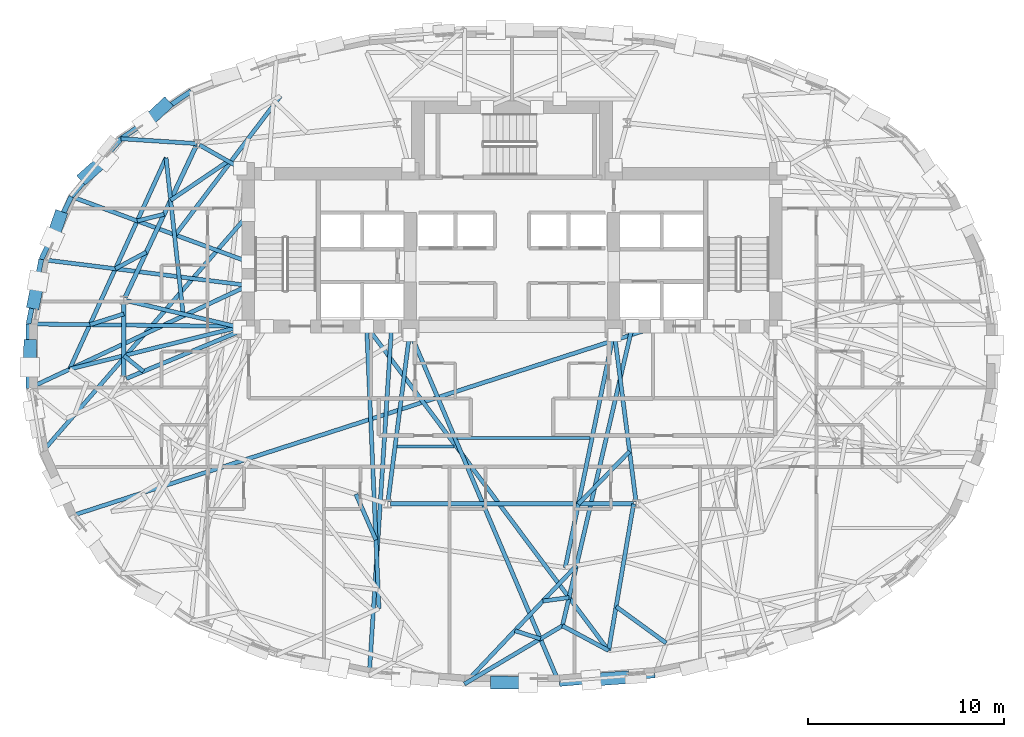
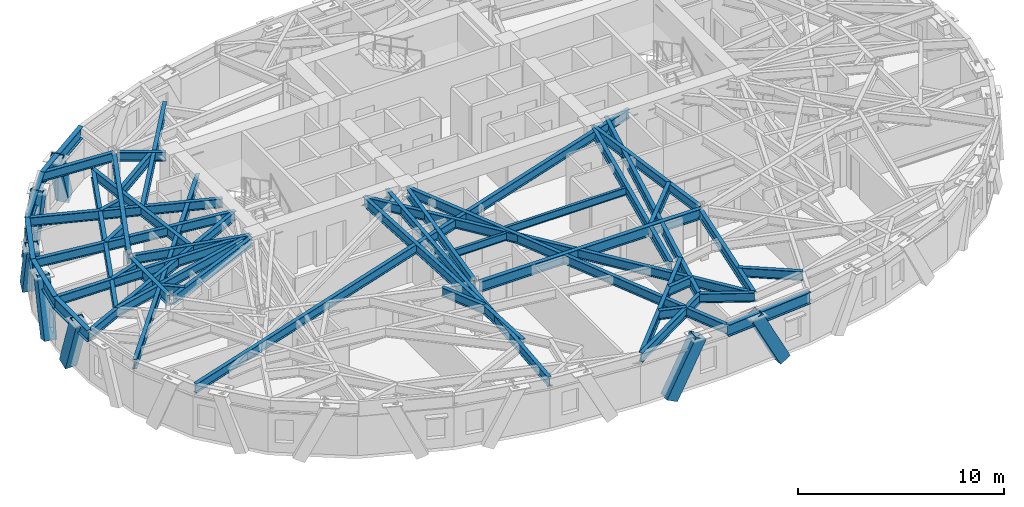
# One storey, part 2 of 15: 47 beams, 7 members.
"""IFC4 building model written with IfcOpenShell, lengths in metres."""

from ifc_helpers import new_model, si_unit, direction, frame, origin, origin_2d, place, context, subcontext, project, spatial, hollow_rectangle, i_section, extrude, material, material_profile, profile_set, type_object, element, save


model = new_model("IFC4")

# Units and contexts
model_context = context("Model", 3, precision=1e-05, world=origin(), true_north=direction((0.0, 1.0)))
body_context = subcontext(model_context, "Body", "Model", "MODEL_VIEW")
ifc_project = project(units=[si_unit("LENGTHUNIT", "METRE"), si_unit("AREAUNIT", "SQUARE_METRE"), si_unit("VOLUMEUNIT", "CUBIC_METRE"), si_unit("PLANEANGLEUNIT", "RADIAN"), si_unit("MASSUNIT", "GRAM", prefix="KILO")], contexts=[model_context])

# Site, building, storey
site_placement = place(None, origin())
site = spatial("IfcSite", under=ifc_project, at=site_placement, CompositionType="ELEMENT")
building_placement = place(site_placement, origin())
building = spatial("IfcBuilding", under=site, at=building_placement, Name="Keldmark Tower", CompositionType="ELEMENT")
storey_placement = place(building_placement, frame((0.0, 0.0, 150.199951171875)))
storey = spatial("IfcBuildingStorey", under=building, at=storey_placement, Name="L40", CompositionType="ELEMENT", Elevation=150.199951171875)

# Beams
ifc_material_1 = material(Name="Steel ASTM A992 Grade 50", Category="steel")
ifc_material_profile_1 = material_profile(ifc_material_1, i_section(OverallWidth=0.153076171875, OverallDepth=0.455078125, WebThickness=0.008056640625, FlangeThickness=0.01318359375, at=origin_2d()), Name="W18X40")
ifc_profile_set_1 = profile_set([ifc_material_profile_1], Name="Steel ASTM A992 Grade 50")
beam_type_1 = type_object("IfcBeamType", Name="Composite Floor Joist W18X40", PredefinedType="JOIST", material=ifc_profile_set_1)
beam_1_placement = place(storey_placement, frame((-5.875244140625, -4.60009765625, 2.79248046875), z_axis=(1.0, 0.0, 0.0), x_axis=(0.0, 1.0, 0.0)))
element("IfcBeam", 1, at=beam_1_placement, inside=storey, type_object=beam_type_1, Name="L40 Composite Floor Joist J03", PredefinedType="JOIST", context=body_context, shape_type="SweptSolid", body=[
    extrude(i_section(OverallWidth=0.153076171875, OverallDepth=0.455078125, WebThickness=0.008056640625, FlangeThickness=0.01318359375, at=origin_2d()), origin(), (0.0, 0.0, 1.0), 2.901123046875),
])
beam_2_placement = place(storey_placement, frame((-2.806640625, -4.179931640625, 2.79248046875), z_axis=(1.0, 0.0, 0.0), x_axis=(0.0, 1.0, 0.0)))
element("IfcBeam", 2, at=beam_2_placement, inside=storey, type_object=beam_type_1, Name="L40 Composite Floor Joist J04", PredefinedType="JOIST", context=body_context, shape_type="SweptSolid", body=[
    extrude(i_section(OverallWidth=0.153076171875, OverallDepth=0.455078125, WebThickness=0.008056640625, FlangeThickness=0.01318359375, at=origin_2d()), origin(), (0.0, 0.0, 1.0), 6.796142578125),
])

# Members
ifc_material_2 = material(Name="Steel ASTM A572 Grade 50", Category="steel")
ifc_material_profile_2 = material_profile(ifc_material_2, hollow_rectangle(XDim=0.64990234375, YDim=0.64990234375, WallThickness=0.0400390625, at=origin_2d()), Name="BOX650X650X40")
ifc_profile_set_2 = profile_set([ifc_material_profile_2], Name="Steel ASTM A572 Grade 50")
member_type = type_object("IfcMemberType", Name="Diagrid Zone 3 Brace BOX650X650X40", PredefinedType="BRACE", material=ifc_profile_set_2)
member_1_placement = place(storey_placement, frame((-17.732421875, 12.81689453125, -0.260009765625), z_axis=(-0.292992043497, -0.273100580771, 0.916281471618), x_axis=(0.681839537201, -0.731501774099, 0.0)))
element("IfcMember", 3, at=member_1_placement, inside=storey, type_object=member_type, Name="L40 Perimeter Diagrid Brace 06B", PredefinedType="BRACE", context=body_context, shape_type="SweptSolid", body=[
    extrude(hollow_rectangle(XDim=0.64990234375, YDim=0.64990234375, WallThickness=0.0400390625, at=origin_2d()), origin(), (0.0, 0.0, 1.0), 3.448974609375),
])
member_2_placement = place(storey_placement, frame((-21.796875, 9.180908203125, -0.260009765625), z_axis=(0.296806190353, 0.263764698546, 0.917787703758), x_axis=(-0.664275165612, 0.747488129906, 0.0)))
element("IfcMember", 4, at=member_2_placement, inside=storey, type_object=member_type, Name="L40 Perimeter Diagrid Brace 07A", PredefinedType="BRACE", context=body_context, shape_type="SweptSolid", body=[
    extrude(hollow_rectangle(XDim=0.64990234375, YDim=0.64990234375, WallThickness=0.0400390625, at=origin_2d()), origin(), (0.0, 0.0, 1.0), 3.443115234375),
])
member_3_placement = place(storey_placement, frame((-23.099853515625, 7.100830078125, -0.260009765625), z_axis=(-0.113870706024, -0.330174373919, 0.937026331069), x_axis=(0.945357561986, -0.326035396844, 0.0)))
element("IfcMember", 5, at=member_3_placement, inside=storey, type_object=member_type, Name="L40 Perimeter Diagrid Brace 07B", PredefinedType="BRACE", context=body_context, shape_type="SweptSolid", body=[
    extrude(hollow_rectangle(XDim=0.64990234375, YDim=0.64990234375, WallThickness=0.0400390625, at=origin_2d()), origin(), (0.0, 0.0, 1.0), 3.37255859375),
])
member_4_placement = place(storey_placement, frame((-24.430908203125, 2.7333984375, -0.260009765625), z_axis=(0.066641570554, 0.326798608827, 0.942741518309), x_axis=(-0.979834607176, 0.199810266451, 0.0)))
element("IfcMember", 6, at=member_4_placement, inside=storey, type_object=member_type, Name="L40 Perimeter Diagrid Brace 08A", PredefinedType="BRACE", context=body_context, shape_type="SweptSolid", body=[
    extrude(hollow_rectangle(XDim=0.64990234375, YDim=0.64990234375, WallThickness=0.0400390625, at=origin_2d()), origin(), (0.0, 0.0, 1.0), 3.35205078125),
])
member_5_placement = place(storey_placement, frame((-24.61669921875, 0.543212890625, -0.260009765625), z_axis=(-0.006640294408, -0.328366206996, 0.944527151856), x_axis=(0.999795593554, -0.02021808867, 0.0)))
element("IfcMember", 7, at=member_5_placement, inside=storey, type_object=member_type, Name="L40 Perimeter Diagrid Brace 08B", PredefinedType="BRACE", context=body_context, shape_type="SweptSolid", body=[
    extrude(hollow_rectangle(XDim=0.64990234375, YDim=0.64990234375, WallThickness=0.0400390625, at=origin_2d()), origin(), (0.0, 0.0, 1.0), 3.345703125),
])
member_6_placement = place(storey_placement, frame((-0.80419921875, -16.666748046875, -0.260009765625), z_axis=(0.456424007227, -0.004330528984, 0.889751859872), x_axis=(0.009487524778, 0.999954992424, 0.0)))
element("IfcMember", 8, at=member_6_placement, inside=storey, type_object=member_type, Name="L40 Perimeter Diagrid Brace 12B", PredefinedType="BRACE", context=body_context, shape_type="SweptSolid", body=[
    extrude(hollow_rectangle(XDim=0.64990234375, YDim=0.64990234375, WallThickness=0.0400390625, at=origin_2d()), origin(), (0.0, 0.0, 1.0), 3.5517578125),
])
member_7_placement = place(storey_placement, frame((5.680419921875, -16.41162109375, -0.260009765625), z_axis=(-0.458757917557, -0.034708658236, 0.88788314666), x_axis=(0.075442282616, -0.997150170232, 0.0)))
element("IfcMember", 9, at=member_7_placement, inside=storey, type_object=member_type, Name="L40 Perimeter Diagrid Brace 13A", PredefinedType="BRACE", context=body_context, shape_type="SweptSolid", body=[
    extrude(hollow_rectangle(XDim=0.64990234375, YDim=0.64990234375, WallThickness=0.0400390625, at=origin_2d()), origin(), (0.0, 0.0, 1.0), 3.55908203125),
])

# Beams
ifc_material_3 = material(Name="Steel ASTM A992 Grade 50", Category="steel")
ifc_material_profile_3 = material_profile(ifc_material_3, i_section(OverallWidth=0.22900390625, OverallDepth=0.612060546875, WebThickness=0.011962890625, FlangeThickness=0.01953125, at=origin_2d()), Name="W24X84")
ifc_profile_set_3 = profile_set([ifc_material_profile_3], Name="Steel ASTM A992 Grade 50")
beam_type_2 = type_object("IfcBeamType", Name="Primary Floor Girder W24X84", PredefinedType="BEAM", material=ifc_profile_set_3)
beam_3_placement = place(storey_placement, frame((-16.140869140625, 10.734130859375, 2.714111328125), z_axis=(-0.424526823774, -0.905415360979, 0.0), x_axis=(0.905415360979, -0.424526823774, 0.0)))
element("IfcBeam", 10, at=beam_3_placement, inside=storey, type_object=beam_type_2, Name="L40 Floor Ring Girder FG-R05", PredefinedType="BEAM", context=body_context, shape_type="SweptSolid", body=[
    extrude(i_section(OverallWidth=0.22900390625, OverallDepth=0.612060546875, WebThickness=0.011962890625, FlangeThickness=0.01953125, at=origin_2d()), origin(), (0.0, 0.0, 1.0), 8.54638671875),
])
beam_4_placement = place(storey_placement, frame((-19.828369140625, 2.729248046875, 2.714111328125), z_axis=(0.0, -1.0, 0.0), x_axis=(1.0, 0.0, 0.0)))
element("IfcBeam", 11, at=beam_4_placement, inside=storey, type_object=beam_type_2, Name="L40 Floor Ring Girder FG-R06", PredefinedType="BEAM", context=body_context, shape_type="SweptSolid", body=[
    extrude(i_section(OverallWidth=0.22900390625, OverallDepth=0.612060546875, WebThickness=0.011962890625, FlangeThickness=0.01953125, at=origin_2d()), origin(), (0.0, 0.0, 1.0), 3.778564453125),
])
beam_5_placement = place(storey_placement, frame((-6.211181640625, -7.546142578125, 2.714111328125), z_axis=(1.0, 0.0, 0.0), x_axis=(0.0, 1.0, 0.0)))
element("IfcBeam", 12, at=beam_5_placement, inside=storey, type_object=beam_type_2, Name="L40 Floor Ring Girder FG-R09", PredefinedType="BEAM", context=body_context, shape_type="SweptSolid", body=[
    extrude(i_section(OverallWidth=0.22900390625, OverallDepth=0.612060546875, WebThickness=0.011962890625, FlangeThickness=0.01953125, at=origin_2d()), origin(), (0.0, 0.0, 1.0), 12.42236328125),
])
ifc_material_4 = material(Name="Steel ASTM A992 Grade 50", Category="steel")
ifc_material_profile_4 = material_profile(ifc_material_4, i_section(OverallWidth=0.2099609375, OverallDepth=0.537109375, WebThickness=0.010986328125, FlangeThickness=0.017333984375, at=origin_2d()), Name="W21X68")
ifc_profile_set_4 = profile_set([ifc_material_profile_4], Name="Steel ASTM A992 Grade 50")
beam_type_3 = type_object("IfcBeamType", Name="Radial Tie Girder W21X68", PredefinedType="BEAM", material=ifc_profile_set_4)
beam_6_placement = place(storey_placement, frame((-15.959716796875, 10.791748046875, 2.75146484375), z_axis=(0.86929527307, -0.494293160197, 0.0), x_axis=(0.494293160197, 0.86929527307, 0.0)))
element("IfcBeam", 13, at=beam_6_placement, inside=storey, type_object=beam_type_3, Name="L40 Floor Radial Girder FG-C05", PredefinedType="BEAM", context=body_context, shape_type="SweptSolid", body=[
    extrude(i_section(OverallWidth=0.2099609375, OverallDepth=0.537109375, WebThickness=0.010986328125, FlangeThickness=0.017333984375, at=origin_2d()), origin(), (0.0, 0.0, 1.0), 2.39453125),
])
beam_7_placement = place(storey_placement, frame((-19.692138671875, 2.837158203125, 2.75146484375), z_axis=(0.973280062348, -0.229621253887, 0.0), x_axis=(0.229621253887, 0.973280062348, 0.0)))
element("IfcBeam", 14, at=beam_7_placement, inside=storey, type_object=beam_type_3, Name="L40 Floor Radial Girder FG-C06", PredefinedType="BEAM", context=body_context, shape_type="SweptSolid", body=[
    extrude(i_section(OverallWidth=0.2099609375, OverallDepth=0.537109375, WebThickness=0.010986328125, FlangeThickness=0.017333984375, at=origin_2d()), origin(), (0.0, 0.0, 1.0), 5.939208984375),
])
beam_8_placement = place(storey_placement, frame((-19.69921875, -1.135498046875, 2.75146484375), z_axis=(0.923393794893, 0.383854008124, 0.0), x_axis=(-0.383854008124, 0.923393794893, 0.0)))
element("IfcBeam", 15, at=beam_8_placement, inside=storey, type_object=beam_type_3, Name="L40 Floor Radial Girder FG-C07", PredefinedType="BEAM", context=body_context, shape_type="SweptSolid", body=[
    extrude(i_section(OverallWidth=0.2099609375, OverallDepth=0.537109375, WebThickness=0.010986328125, FlangeThickness=0.017333984375, at=origin_2d()), origin(), (0.0, 0.0, 1.0), 6.28515625),
])
for number, where, z_axis, x_axis, name in (
    (16, (-6.333251953125, -7.4072265625, 2.75146484375), (0.127635577416, 0.991821132754, 0.0), (-0.991821132754, 0.127635577416, 0.0), "L40 Floor Radial Girder FG-C09"),
    (17, (6.333251953125, -7.4072265625, 2.75146484375), (-0.127635577416, 0.991821132754, 0.0), (-0.991821132754, -0.127635577416, 0.0), "L40 Floor Radial Girder FG-C10"),
):
    element("IfcBeam", number, at=place(storey_placement, frame(where, z_axis=z_axis, x_axis=x_axis)), inside=storey, type_object=beam_type_3, Name=name, PredefinedType="BEAM", context=body_context, shape_type="SweptSolid", body=[
        extrude(i_section(OverallWidth=0.2099609375, OverallDepth=0.537109375, WebThickness=0.010986328125, FlangeThickness=0.017333984375, at=origin_2d()), origin(), (0.0, 0.0, 1.0), 8.559814453125),
    ])
beam_9_placement = place(storey_placement, frame((-14.502685546875, 9.96337890625, 2.75146484375), z_axis=(-0.827254116677, -0.561827933127, 0.0), x_axis=(0.561827933127, -0.827254116677, 0.0)))
element("IfcBeam", 18, at=beam_9_placement, inside=storey, type_object=beam_type_3, Name="L40 Framing Pin Header PH-002", PredefinedType="BEAM", context=body_context, shape_type="SweptSolid", body=[
    extrude(i_section(OverallWidth=0.2099609375, OverallDepth=0.537109375, WebThickness=0.010986328125, FlangeThickness=0.017333984375, at=origin_2d()), origin(), (0.0, 0.0, 1.0), 3.546875),
])
beam_10_placement = place(storey_placement, frame((-16.8017578125, 2.1552734375, 2.75146484375), z_axis=(-0.108542045619, 0.994091859102, 0.0), x_axis=(-0.994091859102, -0.108542045619, 0.0)))
element("IfcBeam", 19, at=beam_10_placement, inside=storey, type_object=beam_type_3, Name="L40 Sub-Ring Step Girder STP1-M06", PredefinedType="BEAM", context=body_context, shape_type="SweptSolid", body=[
    extrude(i_section(OverallWidth=0.2099609375, OverallDepth=0.537109375, WebThickness=0.010986328125, FlangeThickness=0.017333984375, at=origin_2d()), origin(), (0.0, 0.0, 1.0), 8.027587890625),
])
beam_11_placement = place(storey_placement, frame((-18.82861328125, -0.773681640625, 2.75146484375), z_axis=(-0.77891650182, 0.627127645055, 0.0), x_axis=(-0.627127645055, -0.77891650182, 0.0)))
element("IfcBeam", 20, at=beam_11_placement, inside=storey, type_object=beam_type_3, Name="L40 Framing Pin Header PH-003", PredefinedType="BEAM", context=body_context, shape_type="SweptSolid", body=[
    extrude(i_section(OverallWidth=0.2099609375, OverallDepth=0.537109375, WebThickness=0.010986328125, FlangeThickness=0.017333984375, at=origin_2d()), origin(), (0.0, 0.0, 1.0), 1.283447265625),
])
beam_12_placement = place(storey_placement, frame((-13.800048828125, 1.52490234375, 2.75146484375), z_axis=(-0.97064578755, -0.240513523761, 0.0), x_axis=(0.240513523761, -0.97064578755, 0.0)))
element("IfcBeam", 21, at=beam_12_placement, inside=storey, type_object=beam_type_3, Name="L40 Sub-Ring Step Girder STP1-M07", PredefinedType="BEAM", context=body_context, shape_type="SweptSolid", body=[
    extrude(i_section(OverallWidth=0.2099609375, OverallDepth=0.537109375, WebThickness=0.010986328125, FlangeThickness=0.017333984375, at=origin_2d()), origin(), (0.0, 0.0, 1.0), 9.064697265625),
])
beam_13_placement = place(storey_placement, frame((-17.673095703125, 10.135498046875, 2.75146484375), z_axis=(-0.415244584296, -0.909709808243, 0.0), x_axis=(0.909709808243, -0.415244584296, 0.0)))
element("IfcBeam", 22, at=beam_13_placement, inside=storey, type_object=beam_type_3, Name="L40 Perimeter Collector Ring Beam CRG1-M06", PredefinedType="BEAM", context=body_context, shape_type="SweptSolid", body=[
    extrude(i_section(OverallWidth=0.2099609375, OverallDepth=0.537109375, WebThickness=0.010986328125, FlangeThickness=0.017333984375, at=origin_2d()), origin(), (0.0, 0.0, 1.0), 11.86181640625),
])
beam_14_placement = place(storey_placement, frame((6.005615234375, -4.8603515625, 2.75146484375), z_axis=(-0.697432737508, -0.716650247088, 0.0), x_axis=(0.716650247088, -0.697432737508, 0.0)))
element("IfcBeam", 23, at=beam_14_placement, inside=storey, type_object=beam_type_3, Name="L40 Framing Pin Header PH-007", PredefinedType="BEAM", context=body_context, shape_type="SweptSolid", body=[
    extrude(i_section(OverallWidth=0.2099609375, OverallDepth=0.537109375, WebThickness=0.010986328125, FlangeThickness=0.017333984375, at=origin_2d()), origin(), (0.0, 0.0, 1.0), 3.747802734375),
])
beam_15_placement = place(storey_placement, frame((5.199951171875, 1.199951171875, 2.75146484375), z_axis=(-0.202451386456, -0.97929231393, 0.0), x_axis=(0.97929231393, -0.202451386456, 0.0)))
element("IfcBeam", 24, at=beam_15_placement, inside=storey, type_object=beam_type_3, Name="L40 Sub-Ring Step Girder STP2-M10", PredefinedType="BEAM", context=body_context, shape_type="SweptSolid", body=[
    extrude(i_section(OverallWidth=0.2099609375, OverallDepth=0.537109375, WebThickness=0.010986328125, FlangeThickness=0.017333984375, at=origin_2d()), origin(), (0.0, 0.0, 1.0), 12.249755859375),
])
beam_16_placement = place(storey_placement, frame((-17.2373046875, 6.1455078125, 2.75146484375), z_axis=(0.603381799177, 0.797452446496, 0.0), x_axis=(-0.797452446496, 0.603381799177, 0.0)))
element("IfcBeam", 25, at=beam_16_placement, inside=storey, type_object=beam_type_3, Name="L40 Intermediate Radial Step Girder RT-11M", PredefinedType="BEAM", context=body_context, shape_type="SweptSolid", body=[
    extrude(i_section(OverallWidth=0.2099609375, OverallDepth=0.537109375, WebThickness=0.010986328125, FlangeThickness=0.017333984375, at=origin_2d()), origin(), (0.0, 0.0, 1.0), 8.960693359375),
])
beam_17_placement = place(storey_placement, frame((-16.08154296875, 10.861083984375, 2.75146484375), z_axis=(-0.997928938614, 0.064325993786, 0.0), x_axis=(-0.064325993786, -0.997928938614, 0.0)))
element("IfcBeam", 26, at=beam_17_placement, inside=storey, type_object=beam_type_3, Name="L40 Perimeter Column Bracket RT-13", PredefinedType="BEAM", context=body_context, shape_type="SweptSolid", body=[
    extrude(i_section(OverallWidth=0.2099609375, OverallDepth=0.537109375, WebThickness=0.010986328125, FlangeThickness=0.017333984375, at=origin_2d()), origin(), (0.0, 0.0, 1.0), 3.901611328125),
])
beam_18_placement = place(storey_placement, frame((-17.7734375, 7.251953125, 2.75146484375), z_axis=(-0.970800195017, -0.239889519061, 0.0), x_axis=(0.239889519061, -0.970800195017, 0.0)))
element("IfcBeam", 27, at=beam_18_placement, inside=storey, type_object=beam_type_3, Name="L40 Framing Pin Header PH-016", PredefinedType="BEAM", context=body_context, shape_type="SweptSolid", body=[
    extrude(i_section(OverallWidth=0.2099609375, OverallDepth=0.537109375, WebThickness=0.010986328125, FlangeThickness=0.017333984375, at=origin_2d()), origin(), (0.0, 0.0, 1.0), 1.41162109375),
])
beam_19_placement = place(storey_placement, frame((-13.47509765625, 4.8212890625, 2.75146484375), z_axis=(-0.938149157315, 0.346231365751, 0.0), x_axis=(-0.346231365751, -0.938149157315, 0.0)))
element("IfcBeam", 28, at=beam_19_placement, inside=storey, type_object=beam_type_3, Name="L40 Perimeter Radial Tie Girder RT-14", PredefinedType="BEAM", context=body_context, shape_type="SweptSolid", body=[
    extrude(i_section(OverallWidth=0.2099609375, OverallDepth=0.537109375, WebThickness=0.010986328125, FlangeThickness=0.017333984375, at=origin_2d()), origin(), (0.0, 0.0, 1.0), 9.635009765625),
])
beam_20_placement = place(storey_placement, frame((-18.6806640625, 5.3173828125, 2.75146484375), z_axis=(-0.880715792006, -0.473645113679, 0.0), x_axis=(0.473645113679, -0.880715792006, 0.0)))
element("IfcBeam", 29, at=beam_20_placement, inside=storey, type_object=beam_type_3, Name="L40 Framing Pin Header PH-017", PredefinedType="BEAM", context=body_context, shape_type="SweptSolid", body=[
    extrude(i_section(OverallWidth=0.2099609375, OverallDepth=0.537109375, WebThickness=0.010986328125, FlangeThickness=0.017333984375, at=origin_2d()), origin(), (0.0, 0.0, 1.0), 1.793212890625),
])
beam_21_placement = place(storey_placement, frame((-13.47509765625, 3.6142578125, 2.75146484375), z_axis=(-0.992174260408, 0.124860870511, 0.0), x_axis=(-0.124860870511, -0.992174260408, 0.0)))
element("IfcBeam", 30, at=beam_21_placement, inside=storey, type_object=beam_type_3, Name="L40 Perimeter Radial Tie Girder RT-15", PredefinedType="BEAM", context=body_context, shape_type="SweptSolid", body=[
    extrude(i_section(OverallWidth=0.2099609375, OverallDepth=0.537109375, WebThickness=0.010986328125, FlangeThickness=0.017333984375, at=origin_2d()), origin(), (0.0, 0.0, 1.0), 10.656494140625),
])
beam_22_placement = place(storey_placement, frame((-19.828369140625, 2.162353515625, 2.75146484375), z_axis=(-0.95338983748, -0.301741309385, 0.0), x_axis=(0.301741309385, -0.95338983748, 0.0)))
element("IfcBeam", 31, at=beam_22_placement, inside=storey, type_object=beam_type_3, Name="L40 Framing Pin Header PH-018", PredefinedType="BEAM", context=body_context, shape_type="SweptSolid", body=[
    extrude(i_section(OverallWidth=0.2099609375, OverallDepth=0.537109375, WebThickness=0.010986328125, FlangeThickness=0.017333984375, at=origin_2d()), origin(), (0.0, 0.0, 1.0), 1.819580078125),
])
beam_23_placement = place(storey_placement, frame((-13.800048828125, 1.52490234375, 2.75146484375), z_axis=(-0.999935257805, 0.011378936649, 0.0), x_axis=(-0.011378936649, -0.999935257805, 0.0)))
element("IfcBeam", 32, at=beam_23_placement, inside=storey, type_object=beam_type_3, Name="L40 Perimeter Radial Tie Girder RT-16", PredefinedType="BEAM", context=body_context, shape_type="SweptSolid", body=[
    extrude(i_section(OverallWidth=0.2099609375, OverallDepth=0.537109375, WebThickness=0.010986328125, FlangeThickness=0.017333984375, at=origin_2d()), origin(), (0.0, 0.0, 1.0), 10.8994140625),
])
beam_24_placement = place(storey_placement, frame((-13.47509765625, 3.6142578125, 2.75146484375), z_axis=(-0.905393644978, -0.424573135788, 0.0), x_axis=(0.424573135788, -0.905393644978, 0.0)))
element("IfcBeam", 33, at=beam_24_placement, inside=storey, type_object=beam_type_3, Name="L40 Perimeter Radial Tie Girder RT-17", PredefinedType="BEAM", context=body_context, shape_type="SweptSolid", body=[
    extrude(i_section(OverallWidth=0.2099609375, OverallDepth=0.537109375, WebThickness=0.010986328125, FlangeThickness=0.017333984375, at=origin_2d()), origin(), (0.0, 0.0, 1.0), 12.396484375),
])
beam_25_placement = place(storey_placement, frame((-13.47509765625, 7.235595703125, 2.75146484375), z_axis=(-0.655519282576, -0.755178435981, 0.0), x_axis=(0.755178435981, -0.655519282576, 0.0)))
element("IfcBeam", 34, at=beam_25_placement, inside=storey, type_object=beam_type_3, Name="L40 Perimeter Radial Tie Girder RT-18", PredefinedType="BEAM", context=body_context, shape_type="SweptSolid", body=[
    extrude(i_section(OverallWidth=0.2099609375, OverallDepth=0.537109375, WebThickness=0.010986328125, FlangeThickness=0.017333984375, at=origin_2d()), origin(), (0.0, 0.0, 1.0), 16.129150390625),
])
beam_26_placement = place(storey_placement, frame((7.425048828125, 1.52490234375, 2.75146484375), z_axis=(-0.951482540267, -0.307702738964, 0.0), x_axis=(0.307702738964, -0.951482540267, 0.0)))
element("IfcBeam", 35, at=beam_26_placement, inside=storey, type_object=beam_type_3, Name="L40 Perimeter Radial Tie Girder RT-19", PredefinedType="BEAM", context=body_context, shape_type="SweptSolid", body=[
    extrude(i_section(OverallWidth=0.2099609375, OverallDepth=0.537109375, WebThickness=0.010986328125, FlangeThickness=0.017333984375, at=origin_2d()), origin(), (0.0, 0.0, 1.0), 31.4658203125),
])
beam_27_placement = place(storey_placement, frame((-7.97412109375, -7.045166015625, 2.75146484375), z_axis=(0.401571415798, -0.915827711971, 0.0), x_axis=(0.915827711971, 0.401571415798, 0.0)))
element("IfcBeam", 36, at=beam_27_placement, inside=storey, type_object=beam_type_3, Name="L40 Framing Pin Header PH-025", PredefinedType="BEAM", context=body_context, shape_type="SweptSolid", body=[
    extrude(i_section(OverallWidth=0.2099609375, OverallDepth=0.537109375, WebThickness=0.010986328125, FlangeThickness=0.017333984375, at=origin_2d()), origin(), (0.0, 0.0, 1.0), 2.55224609375),
])
beam_28_placement = place(storey_placement, frame((-7.425048828125, 1.52490234375, 2.75146484375), z_axis=(0.043589227988, -0.999049537913, 0.0), x_axis=(0.999049537913, 0.043589227988, 0.0)))
element("IfcBeam", 37, at=beam_28_placement, inside=storey, type_object=beam_type_3, Name="L40 Intermediate Radial Step Girder RT-23M", PredefinedType="BEAM", context=body_context, shape_type="SweptSolid", body=[
    extrude(i_section(OverallWidth=0.2099609375, OverallDepth=0.537109375, WebThickness=0.010986328125, FlangeThickness=0.017333984375, at=origin_2d()), origin(), (0.0, 0.0, 1.0), 14.427978515625),
])
beam_29_placement = place(storey_placement, frame((-6.14990234375, 1.52490234375, 2.75146484375), z_axis=(-0.064102148569, -0.997943342354, 0.0), x_axis=(0.997943342354, -0.064102148569, 0.0)))
element("IfcBeam", 38, at=beam_29_placement, inside=storey, type_object=beam_type_3, Name="L40 Perimeter Radial Tie Girder RT-23", PredefinedType="BEAM", context=body_context, shape_type="SweptSolid", body=[
    extrude(i_section(OverallWidth=0.2099609375, OverallDepth=0.537109375, WebThickness=0.010986328125, FlangeThickness=0.017333984375, at=origin_2d()), origin(), (0.0, 0.0, 1.0), 17.8623046875),
])
beam_30_placement = place(storey_placement, frame((-2.4326171875, -16.741943359375, 2.75146484375), z_axis=(0.687458514733, 0.726223650484, 0.0), x_axis=(-0.726223650484, 0.687458514733, 0.0)))
element("IfcBeam", 39, at=beam_30_placement, inside=storey, type_object=beam_type_3, Name="L40 Framing Pin Header PH-029", PredefinedType="BEAM", context=body_context, shape_type="SweptSolid", body=[
    extrude(i_section(OverallWidth=0.2099609375, OverallDepth=0.537109375, WebThickness=0.010986328125, FlangeThickness=0.017333984375, at=origin_2d()), origin(), (0.0, 0.0, 1.0), 8.332275390625),
])
beam_31_placement = place(storey_placement, frame((6.14990234375, 1.52490234375, 2.75146484375), z_axis=(-0.227540166147, -0.973768695733, 0.0), x_axis=(0.973768695733, -0.227540166147, 0.0)))
element("IfcBeam", 40, at=beam_31_placement, inside=storey, type_object=beam_type_3, Name="L40 Intermediate Radial Step Girder RT-25M", PredefinedType="BEAM", context=body_context, shape_type="SweptSolid", body=[
    extrude(i_section(OverallWidth=0.2099609375, OverallDepth=0.537109375, WebThickness=0.010986328125, FlangeThickness=0.017333984375, at=origin_2d()), origin(), (0.0, 0.0, 1.0), 15.705810546875),
])
beam_32_placement = place(storey_placement, frame((-2.4326171875, -16.741943359375, 2.75146484375), z_axis=(0.859935234826, 0.51040316604, 0.0), x_axis=(-0.51040316604, 0.859935234826, 0.0)))
element("IfcBeam", 41, at=beam_32_placement, inside=storey, type_object=beam_type_3, Name="L40 Local Collector Chord RT-25C", PredefinedType="BEAM", context=body_context, shape_type="SweptSolid", body=[
    extrude(i_section(OverallWidth=0.2099609375, OverallDepth=0.537109375, WebThickness=0.010986328125, FlangeThickness=0.017333984375, at=origin_2d()), origin(), (0.0, 0.0, 1.0), 5.82470703125),
])
beam_33_placement = place(storey_placement, frame((0.14501953125, -14.01904296875, 2.75146484375), z_axis=(0.952628498111, -0.30413639142, 0.0), x_axis=(0.30413639142, 0.952628498111, 0.0)))
element("IfcBeam", 42, at=beam_33_placement, inside=storey, type_object=beam_type_3, Name="L40 Framing Pin Header PH-030", PredefinedType="BEAM", context=body_context, shape_type="SweptSolid", body=[
    extrude(i_section(OverallWidth=0.2099609375, OverallDepth=0.537109375, WebThickness=0.010986328125, FlangeThickness=0.017333984375, at=origin_2d()), origin(), (0.0, 0.0, 1.0), 1.371826171875),
])
beam_34_placement = place(storey_placement, frame((-5.199951171875, 1.199951171875, 2.75146484375), z_axis=(0.391456137764, -0.920196768201, 0.0), x_axis=(0.920196768201, 0.391456137764, 0.0)))
element("IfcBeam", 43, at=beam_34_placement, inside=storey, type_object=beam_type_3, Name="L40 Perimeter Radial Tie Girder RT-25", PredefinedType="BEAM", context=body_context, shape_type="SweptSolid", body=[
    extrude(i_section(OverallWidth=0.2099609375, OverallDepth=0.537109375, WebThickness=0.010986328125, FlangeThickness=0.017333984375, at=origin_2d()), origin(), (0.0, 0.0, 1.0), 19.497802734375),
])
beam_35_placement = place(storey_placement, frame((1.5771484375, -12.506103515625, 2.75146484375), z_axis=(0.991006713086, 0.133812161698, 0.0), x_axis=(-0.133812161698, 0.991006713086, 0.0)))
element("IfcBeam", 44, at=beam_35_placement, inside=storey, type_object=beam_type_3, Name="L40 Framing Pin Header PH-031", PredefinedType="BEAM", context=body_context, shape_type="SweptSolid", body=[
    extrude(i_section(OverallWidth=0.2099609375, OverallDepth=0.537109375, WebThickness=0.010986328125, FlangeThickness=0.017333984375, at=origin_2d()), origin(), (0.0, 0.0, 1.0), 1.348388671875),
])
beam_36_placement = place(storey_placement, frame((-7.425048828125, 1.52490234375, 2.75146484375), z_axis=(0.598162899806, -0.801374534969, 0.0), x_axis=(0.801374534969, 0.598162899806, 0.0)))
element("IfcBeam", 45, at=beam_36_placement, inside=storey, type_object=beam_type_3, Name="L40 Intermediate Radial Step Girder RT-26M", PredefinedType="BEAM", context=body_context, shape_type="SweptSolid", body=[
    extrude(i_section(OverallWidth=0.2099609375, OverallDepth=0.537109375, WebThickness=0.010986328125, FlangeThickness=0.017333984375, at=origin_2d()), origin(), (0.0, 0.0, 1.0), 20.664306640625),
])
beam_37_placement = place(storey_placement, frame((2.576171875, -13.76904296875, 2.75146484375), z_axis=(0.881181578035, -0.472777988629, 0.0), x_axis=(0.472777988629, 0.881181578035, 0.0)))
element("IfcBeam", 46, at=beam_37_placement, inside=storey, type_object=beam_type_3, Name="L40 Local Collector Chord RT-26C", PredefinedType="BEAM", context=body_context, shape_type="SweptSolid", body=[
    extrude(i_section(OverallWidth=0.2099609375, OverallDepth=0.537109375, WebThickness=0.010986328125, FlangeThickness=0.017333984375, at=origin_2d()), origin(), (0.0, 0.0, 1.0), 2.677490234375),
])
beam_38_placement = place(storey_placement, frame((4.935546875, -15.034912109375, 2.75146484375), z_axis=(0.167920956443, 0.985800462765, 0.0), x_axis=(-0.985800462765, 0.167920956443, 0.0)))
element("IfcBeam", 47, at=beam_38_placement, inside=storey, type_object=beam_type_3, Name="L40 Straddling Support Chord RT-26RB", PredefinedType="BEAM", context=body_context, shape_type="SweptSolid", body=[
    extrude(i_section(OverallWidth=0.2099609375, OverallDepth=0.537109375, WebThickness=0.010986328125, FlangeThickness=0.017333984375, at=origin_2d()), origin(), (0.0, 0.0, 1.0), 7.5966796875),
])
beam_39_placement = place(storey_placement, frame((5.318359375, -12.788330078125, 2.75146484375), z_axis=(0.808489193269, -0.588511023148, 0.0), x_axis=(0.588511023148, 0.808489193269, 0.0)))
element("IfcBeam", 48, at=beam_39_placement, inside=storey, type_object=beam_type_3, Name="L40 Framing Pin Header PH-040", PredefinedType="BEAM", context=body_context, shape_type="SweptSolid", body=[
    extrude(i_section(OverallWidth=0.2099609375, OverallDepth=0.537109375, WebThickness=0.010986328125, FlangeThickness=0.017333984375, at=origin_2d()), origin(), (0.0, 0.0, 1.0), 3.165283203125),
])
ifc_material_5 = material(Name="Steel ASTM A992 Grade 50", Category="steel")
ifc_material_profile_5 = material_profile(ifc_material_5, i_section(OverallWidth=0.256103515625, OverallDepth=0.693115234375, WebThickness=0.014404296875, FlangeThickness=0.023681640625, at=origin_2d()), Name="W27X114")
ifc_profile_set_5 = profile_set([ifc_material_profile_5], Name="Steel ASTM A992 Grade 50")
beam_type_4 = type_object("IfcBeamType", Name="Spandrel Ring Beam W27X114", PredefinedType="SPANDREL", material=ifc_profile_set_5)
beam_40_placement = place(storey_placement, frame((-16.39306640625, 13.5400390625, 2.673583984375), z_axis=(-0.827764012693, -0.561076411276, 0.0), x_axis=(0.561076411276, -0.827764012693, 0.0)))
element("IfcBeam", 49, at=beam_40_placement, inside=storey, type_object=beam_type_4, Name="L40 Perimeter Spandrel Ring Beam SRB-12", PredefinedType="SPANDREL", context=body_context, shape_type="SweptSolid", body=[
    extrude(i_section(OverallWidth=0.256103515625, OverallDepth=0.693115234375, WebThickness=0.014404296875, FlangeThickness=0.023681640625, at=origin_2d()), origin(), (0.0, 0.0, 1.0), 4.327392578125),
])
beam_41_placement = place(storey_placement, frame((-19.97509765625, 11.112060546875, 2.673583984375), z_axis=(-0.651730133618, -0.758450942998, 0.0), x_axis=(0.758450942998, -0.651730133618, 0.0)))
element("IfcBeam", 50, at=beam_41_placement, inside=storey, type_object=beam_type_4, Name="L40 Perimeter Spandrel Ring Beam SRB-13", PredefinedType="SPANDREL", context=body_context, shape_type="SweptSolid", body=[
    extrude(i_section(OverallWidth=0.256103515625, OverallDepth=0.693115234375, WebThickness=0.014404296875, FlangeThickness=0.023681640625, at=origin_2d()), origin(), (0.0, 0.0, 1.0), 3.89599609375),
])
beam_42_placement = place(storey_placement, frame((-22.51416015625, 8.1572265625, 2.673583984375), z_axis=(-0.430899691529, -0.902399831472, 0.0), x_axis=(0.902399831472, -0.430899691529, 0.0)))
element("IfcBeam", 51, at=beam_42_placement, inside=storey, type_object=beam_type_4, Name="L40 Perimeter Spandrel Ring Beam SRB-14", PredefinedType="SPANDREL", context=body_context, shape_type="SweptSolid", body=[
    extrude(i_section(OverallWidth=0.256103515625, OverallDepth=0.693115234375, WebThickness=0.014404296875, FlangeThickness=0.023681640625, at=origin_2d()), origin(), (0.0, 0.0, 1.0), 3.559814453125),
])
beam_43_placement = place(storey_placement, frame((-24.048095703125, 4.94482421875, 2.673583984375), z_axis=(-0.193669845908, -0.981066761635, 0.0), x_axis=(0.981066761635, -0.193669845908, 0.0)))
element("IfcBeam", 52, at=beam_43_placement, inside=storey, type_object=beam_type_4, Name="L40 Perimeter Spandrel Ring Beam SRB-15", PredefinedType="SPANDREL", context=body_context, shape_type="SweptSolid", body=[
    extrude(i_section(OverallWidth=0.256103515625, OverallDepth=0.693115234375, WebThickness=0.014404296875, FlangeThickness=0.023681640625, at=origin_2d()), origin(), (0.0, 0.0, 1.0), 3.359619140625),
])
beam_44_placement = place(storey_placement, frame((-24.69873046875, 1.64892578125, 2.673583984375), z_axis=(0.0, -1.0, 0.0), x_axis=(1.0, 0.0, 0.0)))
element("IfcBeam", 53, at=beam_44_placement, inside=storey, type_object=beam_type_4, Name="L40 Perimeter Spandrel Ring Beam SRB-16", PredefinedType="SPANDREL", context=body_context, shape_type="SweptSolid", body=[
    extrude(i_section(OverallWidth=0.256103515625, OverallDepth=0.693115234375, WebThickness=0.014404296875, FlangeThickness=0.023681640625, at=origin_2d()), origin(), (0.0, 0.0, 1.0), 3.2978515625),
])
beam_45_placement = place(storey_placement, frame((2.4326171875, -16.741943359375, 2.673583984375), z_axis=(0.995909176303, 0.090359905683, 0.0), x_axis=(-0.090359905683, 0.995909176303, 0.0)))
element("IfcBeam", 54, at=beam_45_placement, inside=storey, type_object=beam_type_4, Name="L40 Perimeter Spandrel Ring Beam SRB-25", PredefinedType="SPANDREL", context=body_context, shape_type="SweptSolid", body=[
    extrude(i_section(OverallWidth=0.256103515625, OverallDepth=0.693115234375, WebThickness=0.014404296875, FlangeThickness=0.023681640625, at=origin_2d()), origin(), (0.0, 0.0, 1.0), 4.88232421875),
])

save(model, "model.ifc")
